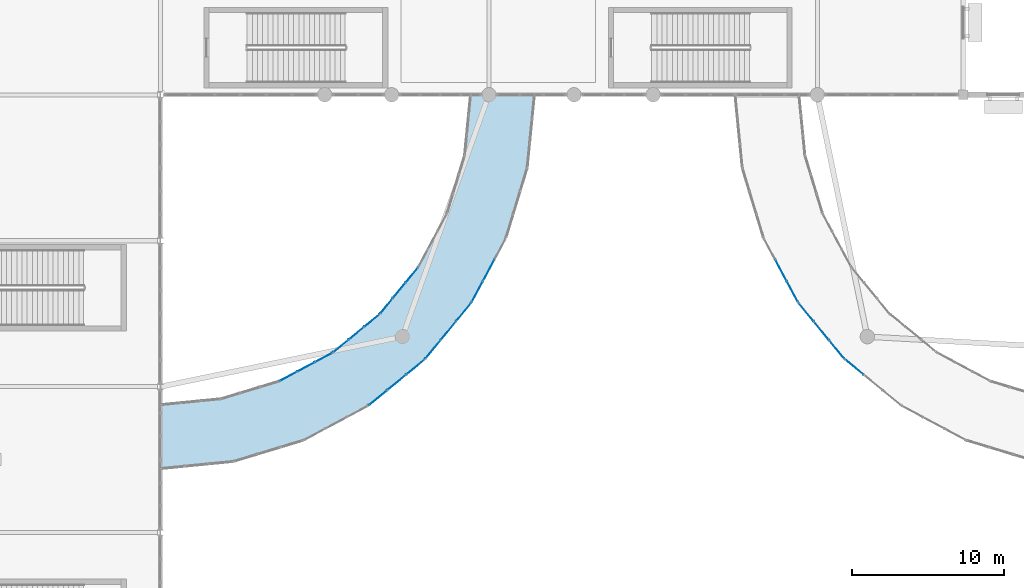
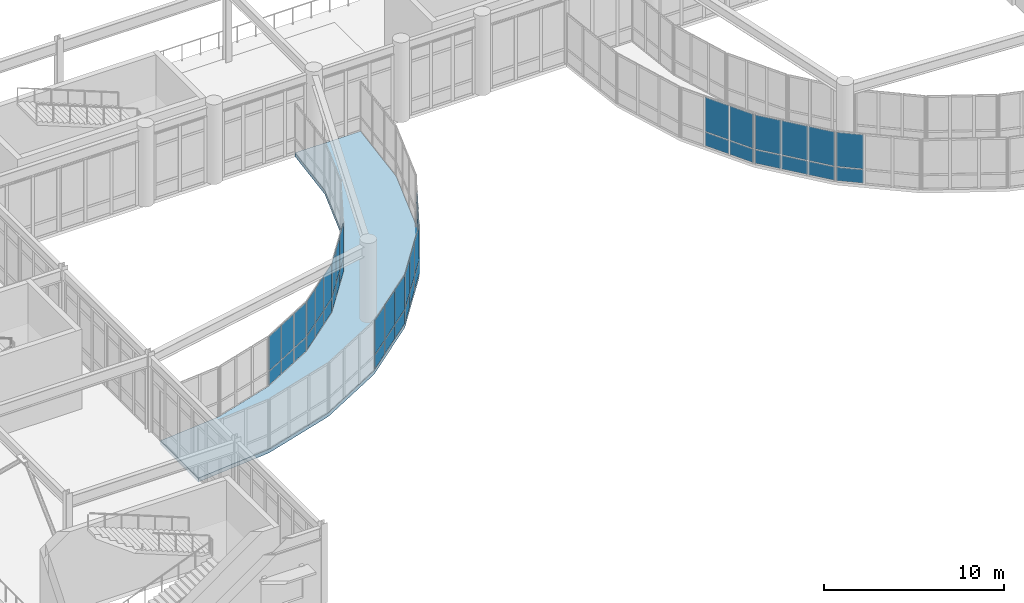
# One storey, part 40 of 72: 46 plates, 1 slab, 9 elements without a shape of their own.
"""IFC4 building model written with IfcOpenShell, lengths in metres."""

from ifc_helpers import new_model, si_unit, direction, frame, origin, origin_2d, place, context, subcontext, project, spatial, polyline, rectangle, outline, extrude, material, layer, layer_set, type_object, element, aggregate, save


model = new_model("IFC4")

# Units and contexts
model_context = context("Model", 3, precision=1e-05, world=origin(), true_north=direction((0.0, 1.0)))
body_context = subcontext(model_context, "Body", "Model", "MODEL_VIEW")
ifc_project = project(units=[si_unit("LENGTHUNIT", "METRE"), si_unit("AREAUNIT", "SQUARE_METRE"), si_unit("VOLUMEUNIT", "CUBIC_METRE"), si_unit("PLANEANGLEUNIT", "RADIAN"), si_unit("MASSUNIT", "GRAM", prefix="KILO")], contexts=[model_context])

# Site, building, storey
site_placement = place(None, origin())
site = spatial("IfcSite", under=ifc_project, at=site_placement, CompositionType="ELEMENT")
building_placement = place(site_placement, origin())
building = spatial("IfcBuilding", under=site, at=building_placement, Name="Veldera Park Congress Hotel", CompositionType="ELEMENT")
storey_placement = place(building_placement, frame((0.0, 0.0, 5.39990234375)))
storey = spatial("IfcBuildingStorey", under=building, at=storey_placement, Name="L01", CompositionType="ELEMENT", Elevation=5.39990234375)

# Curtain wall, plates
ifc_material_1 = material(Name="Low-E Triple Insulating Glass Unit (SHGC 0.22)", Category="glass")
curtain_wall_type = type_object("IfcCurtainWallType", Name="CW-BRG", PredefinedType="NOTDEFINED", material=ifc_material_1)
curtain_wall_1_placement = place(storey_placement, origin())
curtain_wall_1 = element("IfcCurtainWall", 1, at=curtain_wall_1_placement, inside=storey, type_object=curtain_wall_type, Name="L01 Curtain Wall CW3-BRGW-L01-A03", PredefinedType="NOTDEFINED")
ifc_layer_1 = layer(ifc_material_1, 0.028076171875)
ifc_layer_set_1 = layer_set([ifc_layer_1], Name="Low-E Triple Insulating Glass Unit (SHGC 0.22)")
plate_type = type_object("IfcPlateType", Name="CWP-IGU28", PredefinedType="CURTAIN_PANEL", material=ifc_layer_set_1)
plate_1_placement = place(storey_placement, frame((12.699951171875, -2.53466796875, 0.06005859375), z_axis=(0.0, 0.0, 1.0), x_axis=(0.773002968666, 0.634402404183, 0.0)))
plate_1 = element("IfcPlate", 2, at=plate_1_placement, type_object=plate_type, Name="CW-BRG panel 1.1", PredefinedType="CURTAIN_PANEL", context=body_context, shape_type="SweptSolid", body=[
    extrude(rectangle(XDim=1.517578125, YDim=0.028076171875, at=origin_2d()), origin(), (0.0, 0.0, 1.0), 0.909912109375),
])
plate_2_placement = place(storey_placement, frame((12.699951171875, -2.53466796875, 1.030029296875), z_axis=(0.0, 0.0, 1.0), x_axis=(0.773002968666, 0.634402404183, 0.0)))
plate_2 = element("IfcPlate", 3, at=plate_2_placement, type_object=plate_type, Name="CW-BRG panel 1.2", PredefinedType="CURTAIN_PANEL", context=body_context, shape_type="SweptSolid", body=[
    extrude(rectangle(XDim=1.517578125, YDim=0.028076171875, at=origin_2d()), origin(), (0.0, 0.0, 1.0), 2.31005859375),
])
plate_3_placement = place(storey_placement, frame((13.930908203125, -1.5244140625, 0.06005859375), z_axis=(0.0, 0.0, 1.0), x_axis=(0.773002968666, 0.634402404183, 0.0)))
plate_3 = element("IfcPlate", 4, at=plate_3_placement, type_object=plate_type, Name="CW-BRG panel 2.1", PredefinedType="CURTAIN_PANEL", context=body_context, shape_type="SweptSolid", body=[
    extrude(rectangle(XDim=1.547607421875, YDim=0.028076171875, at=origin_2d()), origin(), (0.0, 0.0, 1.0), 0.909912109375),
])
plate_4_placement = place(storey_placement, frame((13.930908203125, -1.5244140625, 1.030029296875), z_axis=(0.0, 0.0, 1.0), x_axis=(0.773002968666, 0.634402404183, 0.0)))
plate_4 = element("IfcPlate", 5, at=plate_4_placement, type_object=plate_type, Name="CW-BRG panel 2.2", PredefinedType="CURTAIN_PANEL", context=body_context, shape_type="SweptSolid", body=[
    extrude(rectangle(XDim=1.547607421875, YDim=0.028076171875, at=origin_2d()), origin(), (0.0, 0.0, 1.0), 2.31005859375),
])
plate_5_placement = place(storey_placement, frame((15.161865234375, -0.51416015625, 0.06005859375), z_axis=(0.0, 0.0, 1.0), x_axis=(0.773002968666, 0.634402404183, 0.0)))
plate_5 = element("IfcPlate", 6, at=plate_5_placement, type_object=plate_type, Name="CW-BRG panel 3.1", PredefinedType="CURTAIN_PANEL", context=body_context, shape_type="SweptSolid", body=[
    extrude(rectangle(XDim=1.517578125, YDim=0.028076171875, at=origin_2d()), origin(), (0.0, 0.0, 1.0), 0.909912109375),
])
plate_6_placement = place(storey_placement, frame((15.161865234375, -0.51416015625, 1.030029296875), z_axis=(0.0, 0.0, 1.0), x_axis=(0.773002968666, 0.634402404183, 0.0)))
plate_6 = element("IfcPlate", 7, at=plate_6_placement, type_object=plate_type, Name="CW-BRG panel 3.2", PredefinedType="CURTAIN_PANEL", context=body_context, shape_type="SweptSolid", body=[
    extrude(rectangle(XDim=1.517578125, YDim=0.028076171875, at=origin_2d()), origin(), (0.0, 0.0, 1.0), 2.31005859375),
])
aggregate(curtain_wall_1, [plate_1, plate_2, plate_3, plate_4, plate_5, plate_6])

curtain_wall_2_placement = place(storey_placement, origin())
curtain_wall_2 = element("IfcCurtainWall", 8, at=curtain_wall_2_placement, inside=storey, type_object=curtain_wall_type, Name="L01 Curtain Wall CW3-BRGW-L01-A04", PredefinedType="NOTDEFINED")
plate_7_placement = place(storey_placement, frame((16.314208984375, 0.63818359375, 0.06005859375), z_axis=(0.0, 0.0, 1.0), x_axis=(0.634402404183, 0.773002968666, 0.0)))
plate_7 = element("IfcPlate", 9, at=plate_7_placement, type_object=plate_type, Name="CW-BRG panel 1.1", PredefinedType="CURTAIN_PANEL", context=body_context, shape_type="SweptSolid", body=[
    extrude(rectangle(XDim=1.517578125, YDim=0.028076171875, at=origin_2d()), origin(), (0.0, 0.0, 1.0), 0.909912109375),
])
plate_8_placement = place(storey_placement, frame((16.314208984375, 0.63818359375, 1.030029296875), z_axis=(0.0, 0.0, 1.0), x_axis=(0.634402404183, 0.773002968666, 0.0)))
plate_8 = element("IfcPlate", 10, at=plate_8_placement, type_object=plate_type, Name="CW-BRG panel 1.2", PredefinedType="CURTAIN_PANEL", context=body_context, shape_type="SweptSolid", body=[
    extrude(rectangle(XDim=1.517578125, YDim=0.028076171875, at=origin_2d()), origin(), (0.0, 0.0, 1.0), 2.31005859375),
])
plate_9_placement = place(storey_placement, frame((17.324462890625, 1.869140625, 0.06005859375), z_axis=(0.0, 0.0, 1.0), x_axis=(0.634402404183, 0.773002968666, 0.0)))
plate_9 = element("IfcPlate", 11, at=plate_9_placement, type_object=plate_type, Name="CW-BRG panel 2.1", PredefinedType="CURTAIN_PANEL", context=body_context, shape_type="SweptSolid", body=[
    extrude(rectangle(XDim=1.547607421875, YDim=0.028076171875, at=origin_2d()), origin(), (0.0, 0.0, 1.0), 0.909912109375),
])
plate_10_placement = place(storey_placement, frame((17.324462890625, 1.869140625, 1.030029296875), z_axis=(0.0, 0.0, 1.0), x_axis=(0.634402404183, 0.773002968666, 0.0)))
plate_10 = element("IfcPlate", 12, at=plate_10_placement, type_object=plate_type, Name="CW-BRG panel 2.2", PredefinedType="CURTAIN_PANEL", context=body_context, shape_type="SweptSolid", body=[
    extrude(rectangle(XDim=1.547607421875, YDim=0.028076171875, at=origin_2d()), origin(), (0.0, 0.0, 1.0), 2.31005859375),
])
plate_11_placement = place(storey_placement, frame((18.334716796875, 3.10009765625, 0.06005859375), z_axis=(0.0, 0.0, 1.0), x_axis=(0.634402404183, 0.773002968666, 0.0)))
plate_11 = element("IfcPlate", 13, at=plate_11_placement, type_object=plate_type, Name="CW-BRG panel 3.1", PredefinedType="CURTAIN_PANEL", context=body_context, shape_type="SweptSolid", body=[
    extrude(rectangle(XDim=1.517578125, YDim=0.028076171875, at=origin_2d()), origin(), (0.0, 0.0, 1.0), 0.909912109375),
])
plate_12_placement = place(storey_placement, frame((18.334716796875, 3.10009765625, 1.030029296875), z_axis=(0.0, 0.0, 1.0), x_axis=(0.634402404183, 0.773002968666, 0.0)))
plate_12 = element("IfcPlate", 14, at=plate_12_placement, type_object=plate_type, Name="CW-BRG panel 3.2", PredefinedType="CURTAIN_PANEL", context=body_context, shape_type="SweptSolid", body=[
    extrude(rectangle(XDim=1.517578125, YDim=0.028076171875, at=origin_2d()), origin(), (0.0, 0.0, 1.0), 2.31005859375),
])
aggregate(curtain_wall_2, [plate_7, plate_8, plate_9, plate_10, plate_11, plate_12])

curtain_wall_3_placement = place(storey_placement, origin())
curtain_wall_3 = element("IfcCurtainWall", 15, at=curtain_wall_3_placement, inside=storey, type_object=curtain_wall_type, Name="L01 Curtain Wall CW3-BRGW-L01-A05", PredefinedType="NOTDEFINED")
plate_13_placement = place(storey_placement, frame((19.240234375, 4.455078125, 0.06005859375), z_axis=(0.0, 0.0, 1.0), x_axis=(0.471384501415, 0.881927804203, 0.0)))
plate_13 = element("IfcPlate", 16, at=plate_13_placement, type_object=plate_type, Name="CW-BRG panel 1.1", PredefinedType="CURTAIN_PANEL", context=body_context, shape_type="SweptSolid", body=[
    extrude(rectangle(XDim=1.517578125, YDim=0.028076171875, at=origin_2d()), origin(), (0.0, 0.0, 1.0), 0.909912109375),
])
plate_14_placement = place(storey_placement, frame((19.240234375, 4.455078125, 1.030029296875), z_axis=(0.0, 0.0, 1.0), x_axis=(0.471384501415, 0.881927804203, 0.0)))
plate_14 = element("IfcPlate", 17, at=plate_14_placement, type_object=plate_type, Name="CW-BRG panel 1.2", PredefinedType="CURTAIN_PANEL", context=body_context, shape_type="SweptSolid", body=[
    extrude(rectangle(XDim=1.517578125, YDim=0.028076171875, at=origin_2d()), origin(), (0.0, 0.0, 1.0), 2.31005859375),
])
plate_15_placement = place(storey_placement, frame((19.99072265625, 5.859619140625, 0.06005859375), z_axis=(0.0, 0.0, 1.0), x_axis=(0.471384501415, 0.881927804203, 0.0)))
plate_15 = element("IfcPlate", 18, at=plate_15_placement, type_object=plate_type, Name="CW-BRG panel 2.1", PredefinedType="CURTAIN_PANEL", context=body_context, shape_type="SweptSolid", body=[
    extrude(rectangle(XDim=1.54736328125, YDim=0.028076171875, at=origin_2d()), origin(), (0.0, 0.0, 1.0), 0.909912109375),
])
plate_16_placement = place(storey_placement, frame((19.99072265625, 5.859619140625, 1.030029296875), z_axis=(0.0, 0.0, 1.0), x_axis=(0.471384501415, 0.881927804203, 0.0)))
plate_16 = element("IfcPlate", 19, at=plate_16_placement, type_object=plate_type, Name="CW-BRG panel 2.2", PredefinedType="CURTAIN_PANEL", context=body_context, shape_type="SweptSolid", body=[
    extrude(rectangle(XDim=1.54736328125, YDim=0.028076171875, at=origin_2d()), origin(), (0.0, 0.0, 1.0), 2.31005859375),
])
aggregate(curtain_wall_3, [plate_13, plate_14, plate_15, plate_16])

curtain_wall_4_placement = place(storey_placement, origin())
curtain_wall_4 = element("IfcCurtainWall", 20, at=curtain_wall_4_placement, inside=storey, type_object=curtain_wall_type, Name="L01 Curtain Wall CW3-BRGW-L01-B12", PredefinedType="NOTDEFINED")
plate_17_placement = place(storey_placement, frame((14.9296875, 5.53955078125, 0.06005859375), z_axis=(0.0, 0.0, 1.0), x_axis=(-0.634386349036, -0.773016144823, 0.0)))
plate_17 = element("IfcPlate", 21, at=plate_17_placement, type_object=plate_type, Name="CW-BRG panel 1.1", PredefinedType="CURTAIN_PANEL", context=body_context, shape_type="SweptSolid", body=[
    extrude(rectangle(XDim=1.2431640625, YDim=0.028076171875, at=origin_2d()), origin(), (0.0, 0.0, 1.0), 0.909912109375),
])
plate_18_placement = place(storey_placement, frame((14.9296875, 5.53955078125, 1.030029296875), z_axis=(0.0, 0.0, 1.0), x_axis=(-0.634386349036, -0.773016144823, 0.0)))
plate_18 = element("IfcPlate", 22, at=plate_18_placement, type_object=plate_type, Name="CW-BRG panel 1.2", PredefinedType="CURTAIN_PANEL", context=body_context, shape_type="SweptSolid", body=[
    extrude(rectangle(XDim=1.2431640625, YDim=0.028076171875, at=origin_2d()), origin(), (0.0, 0.0, 1.0), 2.31005859375),
])
plate_19_placement = place(storey_placement, frame((14.093505859375, 4.520751953125, 0.06005859375), z_axis=(0.0, 0.0, 1.0), x_axis=(-0.634386349036, -0.773016144823, 0.0)))
plate_19 = element("IfcPlate", 23, at=plate_19_placement, type_object=plate_type, Name="CW-BRG panel 2.1", PredefinedType="CURTAIN_PANEL", context=body_context, shape_type="SweptSolid", body=[
    extrude(rectangle(XDim=1.27294921875, YDim=0.028076171875, at=origin_2d()), origin(), (0.0, 0.0, 1.0), 0.909912109375),
])
plate_20_placement = place(storey_placement, frame((14.093505859375, 4.520751953125, 1.030029296875), z_axis=(0.0, 0.0, 1.0), x_axis=(-0.634386349036, -0.773016144823, 0.0)))
plate_20 = element("IfcPlate", 24, at=plate_20_placement, type_object=plate_type, Name="CW-BRG panel 2.2", PredefinedType="CURTAIN_PANEL", context=body_context, shape_type="SweptSolid", body=[
    extrude(rectangle(XDim=1.27294921875, YDim=0.028076171875, at=origin_2d()), origin(), (0.0, 0.0, 1.0), 2.31005859375),
])
plate_21_placement = place(storey_placement, frame((13.25732421875, 3.501708984375, 0.06005859375), z_axis=(0.0, 0.0, 1.0), x_axis=(-0.634386349036, -0.773016144823, 0.0)))
plate_21 = element("IfcPlate", 25, at=plate_21_placement, type_object=plate_type, Name="CW-BRG panel 3.1", PredefinedType="CURTAIN_PANEL", context=body_context, shape_type="SweptSolid", body=[
    extrude(rectangle(XDim=1.2431640625, YDim=0.028076171875, at=origin_2d()), origin(), (0.0, 0.0, 1.0), 0.909912109375),
])
plate_22_placement = place(storey_placement, frame((13.25732421875, 3.501708984375, 1.030029296875), z_axis=(0.0, 0.0, 1.0), x_axis=(-0.634386349036, -0.773016144823, 0.0)))
plate_22 = element("IfcPlate", 26, at=plate_22_placement, type_object=plate_type, Name="CW-BRG panel 3.2", PredefinedType="CURTAIN_PANEL", context=body_context, shape_type="SweptSolid", body=[
    extrude(rectangle(XDim=1.2431640625, YDim=0.028076171875, at=origin_2d()), origin(), (0.0, 0.0, 1.0), 2.31005859375),
])
aggregate(curtain_wall_4, [plate_17, plate_18, plate_19, plate_20, plate_21, plate_22])

curtain_wall_5_placement = place(storey_placement, origin())
curtain_wall_5 = element("IfcCurtainWall", 27, at=curtain_wall_5_placement, inside=storey, type_object=curtain_wall_type, Name="L01 Curtain Wall CW3-BRGW-L01-B13", PredefinedType="NOTDEFINED")
plate_23_placement = place(storey_placement, frame((12.298095703125, 2.542724609375, 0.06005859375), z_axis=(0.0, 0.0, 1.0), x_axis=(-0.773016144823, -0.634386349036, 0.0)))
plate_23 = element("IfcPlate", 28, at=plate_23_placement, type_object=plate_type, Name="CW-BRG panel 1.1", PredefinedType="CURTAIN_PANEL", context=body_context, shape_type="SweptSolid", body=[
    extrude(rectangle(XDim=1.2431640625, YDim=0.028076171875, at=origin_2d()), origin(), (0.0, 0.0, 1.0), 0.909912109375),
])
plate_24_placement = place(storey_placement, frame((12.298095703125, 2.542724609375, 1.030029296875), z_axis=(0.0, 0.0, 1.0), x_axis=(-0.773016144823, -0.634386349036, 0.0)))
plate_24 = element("IfcPlate", 29, at=plate_24_placement, type_object=plate_type, Name="CW-BRG panel 1.2", PredefinedType="CURTAIN_PANEL", context=body_context, shape_type="SweptSolid", body=[
    extrude(rectangle(XDim=1.2431640625, YDim=0.028076171875, at=origin_2d()), origin(), (0.0, 0.0, 1.0), 2.31005859375),
])
plate_25_placement = place(storey_placement, frame((11.279296875, 1.70654296875, 0.06005859375), z_axis=(0.0, 0.0, 1.0), x_axis=(-0.773016144823, -0.634386349036, 0.0)))
plate_25 = element("IfcPlate", 30, at=plate_25_placement, type_object=plate_type, Name="CW-BRG panel 2.1", PredefinedType="CURTAIN_PANEL", context=body_context, shape_type="SweptSolid", body=[
    extrude(rectangle(XDim=1.27294921875, YDim=0.028076171875, at=origin_2d()), origin(), (0.0, 0.0, 1.0), 0.909912109375),
])
plate_26_placement = place(storey_placement, frame((11.279296875, 1.70654296875, 1.030029296875), z_axis=(0.0, 0.0, 1.0), x_axis=(-0.773016144823, -0.634386349036, 0.0)))
plate_26 = element("IfcPlate", 31, at=plate_26_placement, type_object=plate_type, Name="CW-BRG panel 2.2", PredefinedType="CURTAIN_PANEL", context=body_context, shape_type="SweptSolid", body=[
    extrude(rectangle(XDim=1.27294921875, YDim=0.028076171875, at=origin_2d()), origin(), (0.0, 0.0, 1.0), 2.31005859375),
])
plate_27_placement = place(storey_placement, frame((10.260498046875, 0.870361328125, 0.06005859375), z_axis=(0.0, 0.0, 1.0), x_axis=(-0.773016144823, -0.634386349036, 0.0)))
plate_27 = element("IfcPlate", 32, at=plate_27_placement, type_object=plate_type, Name="CW-BRG panel 3.1", PredefinedType="CURTAIN_PANEL", context=body_context, shape_type="SweptSolid", body=[
    extrude(rectangle(XDim=1.2431640625, YDim=0.028076171875, at=origin_2d()), origin(), (0.0, 0.0, 1.0), 0.909912109375),
])
plate_28_placement = place(storey_placement, frame((10.260498046875, 0.870361328125, 1.030029296875), z_axis=(0.0, 0.0, 1.0), x_axis=(-0.773016144823, -0.634386349036, 0.0)))
plate_28 = element("IfcPlate", 33, at=plate_28_placement, type_object=plate_type, Name="CW-BRG panel 3.2", PredefinedType="CURTAIN_PANEL", context=body_context, shape_type="SweptSolid", body=[
    extrude(rectangle(XDim=1.2431640625, YDim=0.028076171875, at=origin_2d()), origin(), (0.0, 0.0, 1.0), 2.31005859375),
])
aggregate(curtain_wall_5, [plate_23, plate_24, plate_25, plate_26, plate_27, plate_28])

curtain_wall_6_placement = place(storey_placement, origin())
curtain_wall_6 = element("IfcCurtainWall", 34, at=curtain_wall_6_placement, inside=storey, type_object=curtain_wall_type, Name="L01 Curtain Wall CW3-BRGW-L01-B14", PredefinedType="NOTDEFINED")
plate_29_placement = place(storey_placement, frame((9.132568359375, 0.11669921875, 0.06005859375), z_axis=(0.0, 0.0, 1.0), x_axis=(-0.881928263239, -0.471383642588, 0.0)))
plate_29 = element("IfcPlate", 35, at=plate_29_placement, type_object=plate_type, Name="CW-BRG panel 1.1", PredefinedType="CURTAIN_PANEL", context=body_context, shape_type="SweptSolid", body=[
    extrude(rectangle(XDim=1.242919921875, YDim=0.028076171875, at=origin_2d()), origin(), (0.0, 0.0, 1.0), 0.909912109375),
])
plate_30_placement = place(storey_placement, frame((9.132568359375, 0.11669921875, 1.030029296875), z_axis=(0.0, 0.0, 1.0), x_axis=(-0.881928263239, -0.471383642588, 0.0)))
plate_30 = element("IfcPlate", 36, at=plate_30_placement, type_object=plate_type, Name="CW-BRG panel 1.2", PredefinedType="CURTAIN_PANEL", context=body_context, shape_type="SweptSolid", body=[
    extrude(rectangle(XDim=1.242919921875, YDim=0.028076171875, at=origin_2d()), origin(), (0.0, 0.0, 1.0), 2.31005859375),
])
plate_31_placement = place(storey_placement, frame((7.97021484375, -0.504638671875, 0.06005859375), z_axis=(0.0, 0.0, 1.0), x_axis=(-0.881928263239, -0.471383642588, 0.0)))
plate_31 = element("IfcPlate", 37, at=plate_31_placement, type_object=plate_type, Name="CW-BRG panel 2.1", PredefinedType="CURTAIN_PANEL", context=body_context, shape_type="SweptSolid", body=[
    extrude(rectangle(XDim=1.27294921875, YDim=0.028076171875, at=origin_2d()), origin(), (0.0, 0.0, 1.0), 0.909912109375),
])
plate_32_placement = place(storey_placement, frame((7.97021484375, -0.504638671875, 1.030029296875), z_axis=(0.0, 0.0, 1.0), x_axis=(-0.881928263239, -0.471383642588, 0.0)))
plate_32 = element("IfcPlate", 38, at=plate_32_placement, type_object=plate_type, Name="CW-BRG panel 2.2", PredefinedType="CURTAIN_PANEL", context=body_context, shape_type="SweptSolid", body=[
    extrude(rectangle(XDim=1.27294921875, YDim=0.028076171875, at=origin_2d()), origin(), (0.0, 0.0, 1.0), 2.31005859375),
])
plate_33_placement = place(storey_placement, frame((6.807861328125, -1.125732421875, 0.06005859375), z_axis=(0.0, 0.0, 1.0), x_axis=(-0.881928263239, -0.471383642588, 0.0)))
plate_33 = element("IfcPlate", 39, at=plate_33_placement, type_object=plate_type, Name="CW-BRG panel 3.1", PredefinedType="CURTAIN_PANEL", context=body_context, shape_type="SweptSolid", body=[
    extrude(rectangle(XDim=1.242919921875, YDim=0.028076171875, at=origin_2d()), origin(), (0.0, 0.0, 1.0), 0.909912109375),
])
plate_34_placement = place(storey_placement, frame((6.807861328125, -1.125732421875, 1.030029296875), z_axis=(0.0, 0.0, 1.0), x_axis=(-0.881928263239, -0.471383642588, 0.0)))
plate_34 = element("IfcPlate", 40, at=plate_34_placement, type_object=plate_type, Name="CW-BRG panel 3.2", PredefinedType="CURTAIN_PANEL", context=body_context, shape_type="SweptSolid", body=[
    extrude(rectangle(XDim=1.242919921875, YDim=0.028076171875, at=origin_2d()), origin(), (0.0, 0.0, 1.0), 2.31005859375),
])
aggregate(curtain_wall_6, [plate_29, plate_30, plate_31, plate_32, plate_33, plate_34])

curtain_wall_7_placement = place(storey_placement, origin())
curtain_wall_7 = element("IfcCurtainWall", 41, at=curtain_wall_7_placement, inside=storey, type_object=curtain_wall_type, Name="L01 Curtain Wall CW3-BRGE-L01-A02", PredefinedType="NOTDEFINED")
plate_35_placement = place(storey_placement, frame((39.209228515625, 5.859619140625, 0.06005859375), z_axis=(0.0, 0.0, 1.0), x_axis=(0.471384501415, -0.881927804203, 0.0)))
plate_35 = element("IfcPlate", 42, at=plate_35_placement, type_object=plate_type, Name="CW-BRG panel 2.1", PredefinedType="CURTAIN_PANEL", context=body_context, shape_type="SweptSolid", body=[
    extrude(rectangle(XDim=1.54736328125, YDim=0.028076171875, at=origin_2d()), origin(), (0.0, 0.0, 1.0), 0.909912109375),
])
plate_36_placement = place(storey_placement, frame((39.209228515625, 5.859619140625, 1.030029296875), z_axis=(0.0, 0.0, 1.0), x_axis=(0.471384501415, -0.881927804203, 0.0)))
plate_36 = element("IfcPlate", 43, at=plate_36_placement, type_object=plate_type, Name="CW-BRG panel 2.2", PredefinedType="CURTAIN_PANEL", context=body_context, shape_type="SweptSolid", body=[
    extrude(rectangle(XDim=1.54736328125, YDim=0.028076171875, at=origin_2d()), origin(), (0.0, 0.0, 1.0), 2.31005859375),
])
plate_37_placement = place(storey_placement, frame((39.9599609375, 4.455078125, 0.06005859375), z_axis=(0.0, 0.0, 1.0), x_axis=(0.471384501415, -0.881927804203, 0.0)))
plate_37 = element("IfcPlate", 44, at=plate_37_placement, type_object=plate_type, Name="CW-BRG panel 3.1", PredefinedType="CURTAIN_PANEL", context=body_context, shape_type="SweptSolid", body=[
    extrude(rectangle(XDim=1.517578125, YDim=0.028076171875, at=origin_2d()), origin(), (0.0, 0.0, 1.0), 0.909912109375),
])
plate_38_placement = place(storey_placement, frame((39.9599609375, 4.455078125, 1.030029296875), z_axis=(0.0, 0.0, 1.0), x_axis=(0.471384501415, -0.881927804203, 0.0)))
plate_38 = element("IfcPlate", 45, at=plate_38_placement, type_object=plate_type, Name="CW-BRG panel 3.2", PredefinedType="CURTAIN_PANEL", context=body_context, shape_type="SweptSolid", body=[
    extrude(rectangle(XDim=1.517578125, YDim=0.028076171875, at=origin_2d()), origin(), (0.0, 0.0, 1.0), 2.31005859375),
])
aggregate(curtain_wall_7, [plate_35, plate_36, plate_37, plate_38])

curtain_wall_8_placement = place(storey_placement, origin())
curtain_wall_8 = element("IfcCurtainWall", 46, at=curtain_wall_8_placement, inside=storey, type_object=curtain_wall_type, Name="L01 Curtain Wall CW3-BRGE-L01-A03", PredefinedType="NOTDEFINED")
plate_39_placement = place(storey_placement, frame((40.865234375, 3.10009765625, 0.06005859375), z_axis=(0.0, 0.0, 1.0), x_axis=(0.634402404183, -0.773002968666, 0.0)))
plate_39 = element("IfcPlate", 47, at=plate_39_placement, type_object=plate_type, Name="CW-BRG panel 1.1", PredefinedType="CURTAIN_PANEL", context=body_context, shape_type="SweptSolid", body=[
    extrude(rectangle(XDim=1.517578125, YDim=0.028076171875, at=origin_2d()), origin(), (0.0, 0.0, 1.0), 0.909912109375),
])
plate_40_placement = place(storey_placement, frame((40.865234375, 3.10009765625, 1.030029296875), z_axis=(0.0, 0.0, 1.0), x_axis=(0.634402404183, -0.773002968666, 0.0)))
plate_40 = element("IfcPlate", 48, at=plate_40_placement, type_object=plate_type, Name="CW-BRG panel 1.2", PredefinedType="CURTAIN_PANEL", context=body_context, shape_type="SweptSolid", body=[
    extrude(rectangle(XDim=1.517578125, YDim=0.028076171875, at=origin_2d()), origin(), (0.0, 0.0, 1.0), 2.31005859375),
])
plate_41_placement = place(storey_placement, frame((41.87548828125, 1.869140625, 0.06005859375), z_axis=(0.0, 0.0, 1.0), x_axis=(0.634402404183, -0.773002968666, 0.0)))
plate_41 = element("IfcPlate", 49, at=plate_41_placement, type_object=plate_type, Name="CW-BRG panel 2.1", PredefinedType="CURTAIN_PANEL", context=body_context, shape_type="SweptSolid", body=[
    extrude(rectangle(XDim=1.547607421875, YDim=0.028076171875, at=origin_2d()), origin(), (0.0, 0.0, 1.0), 0.909912109375),
])
plate_42_placement = place(storey_placement, frame((41.87548828125, 1.869140625, 1.030029296875), z_axis=(0.0, 0.0, 1.0), x_axis=(0.634402404183, -0.773002968666, 0.0)))
plate_42 = element("IfcPlate", 50, at=plate_42_placement, type_object=plate_type, Name="CW-BRG panel 2.2", PredefinedType="CURTAIN_PANEL", context=body_context, shape_type="SweptSolid", body=[
    extrude(rectangle(XDim=1.547607421875, YDim=0.028076171875, at=origin_2d()), origin(), (0.0, 0.0, 1.0), 2.31005859375),
])
plate_43_placement = place(storey_placement, frame((42.8857421875, 0.63818359375, 0.06005859375), z_axis=(0.0, 0.0, 1.0), x_axis=(0.634402404183, -0.773002968666, 0.0)))
plate_43 = element("IfcPlate", 51, at=plate_43_placement, type_object=plate_type, Name="CW-BRG panel 3.1", PredefinedType="CURTAIN_PANEL", context=body_context, shape_type="SweptSolid", body=[
    extrude(rectangle(XDim=1.517578125, YDim=0.028076171875, at=origin_2d()), origin(), (0.0, 0.0, 1.0), 0.909912109375),
])
plate_44_placement = place(storey_placement, frame((42.8857421875, 0.63818359375, 1.030029296875), z_axis=(0.0, 0.0, 1.0), x_axis=(0.634402404183, -0.773002968666, 0.0)))
plate_44 = element("IfcPlate", 52, at=plate_44_placement, type_object=plate_type, Name="CW-BRG panel 3.2", PredefinedType="CURTAIN_PANEL", context=body_context, shape_type="SweptSolid", body=[
    extrude(rectangle(XDim=1.517578125, YDim=0.028076171875, at=origin_2d()), origin(), (0.0, 0.0, 1.0), 2.31005859375),
])
aggregate(curtain_wall_8, [plate_39, plate_40, plate_41, plate_42, plate_43, plate_44])

curtain_wall_9_placement = place(storey_placement, origin())
curtain_wall_9 = element("IfcCurtainWall", 53, at=curtain_wall_9_placement, inside=storey, type_object=curtain_wall_type, Name="L01 Curtain Wall CW3-BRGE-L01-A04", PredefinedType="NOTDEFINED")
plate_45_placement = place(storey_placement, frame((44.0380859375, -0.51416015625, 0.06005859375), z_axis=(0.0, 0.0, 1.0), x_axis=(0.773002968666, -0.634402404183, 0.0)))
plate_45 = element("IfcPlate", 54, at=plate_45_placement, type_object=plate_type, Name="CW-BRG panel 1.1", PredefinedType="CURTAIN_PANEL", context=body_context, shape_type="SweptSolid", body=[
    extrude(rectangle(XDim=1.517578125, YDim=0.028076171875, at=origin_2d()), origin(), (0.0, 0.0, 1.0), 0.909912109375),
])
plate_46_placement = place(storey_placement, frame((44.0380859375, -0.51416015625, 1.030029296875), z_axis=(0.0, 0.0, 1.0), x_axis=(0.773002968666, -0.634402404183, 0.0)))
plate_46 = element("IfcPlate", 55, at=plate_46_placement, type_object=plate_type, Name="CW-BRG panel 1.2", PredefinedType="CURTAIN_PANEL", context=body_context, shape_type="SweptSolid", body=[
    extrude(rectangle(XDim=1.517578125, YDim=0.028076171875, at=origin_2d()), origin(), (0.0, 0.0, 1.0), 2.31005859375),
])
aggregate(curtain_wall_9, [plate_45, plate_46])

# Slab
ifc_material_2 = material(Name="Concrete f'c 40 MPa (5,800 psi)", Category="concrete")
ifc_layer_2 = layer(ifc_material_2, 0.2548828125)
ifc_layer_set_2 = layer_set([ifc_layer_2], Name="Concrete f'c 40 MPa (5,800 psi)")
slab_type = type_object("IfcSlabType", Name="SLB-BRG255", PredefinedType="FLOOR", material=ifc_layer_set_2)
slab_placement = place(storey_placement, frame((0.0, 0.0, -0.2548828125)))
element("IfcSlab", 56, at=slab_placement, inside=storey, type_object=slab_type, Name="L01 West Glazed Link Bridge Deck SLB-L01-BRGW", PredefinedType="FLOOR", context=body_context, shape_type="SweptSolid", body=[
    extrude(outline(polyline([(-1.60009765625, -7.199951171875), (3.19921875, -6.727294921875), (7.81396484375, -5.327392578125), (12.06689453125, -3.05419921875), (15.794921875, 0.005126953125), (18.854248046875, 3.73291015625), (21.12744140625, 7.986083984375), (22.52734375, 12.600830078125), (23.0, 17.39990234375), (18.800048828125, 17.39990234375), (18.407958984375, 13.420166015625), (17.2470703125, 9.59326171875), (15.362060546875, 6.06640625), (12.824951171875, 2.97509765625), (9.733642578125, 0.43798828125), (6.206787109375, -1.447021484375), (2.3798828125, -2.60791015625), (-1.60009765625, -3.0), (-1.60009765625, -7.199951171875)])), origin(), (0.0, 0.0, 1.0), 0.2548828125),
])

save(model, "model.ifc")
